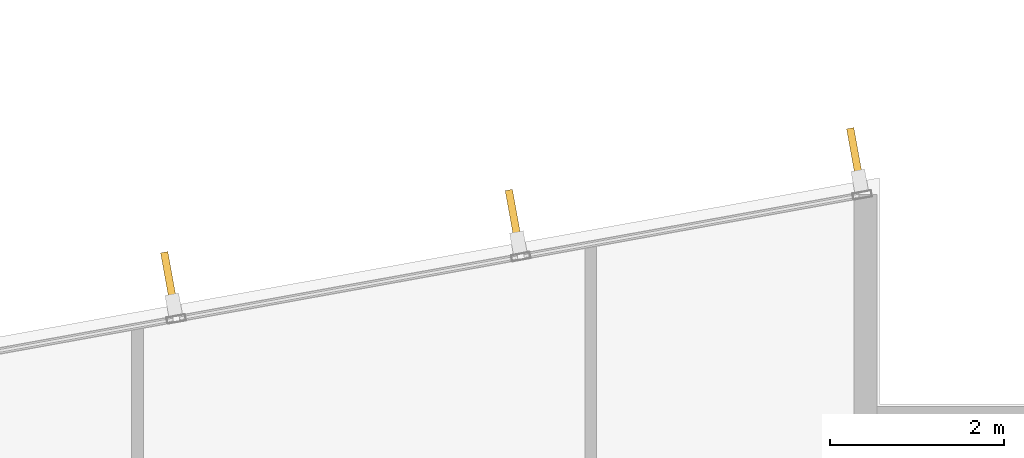
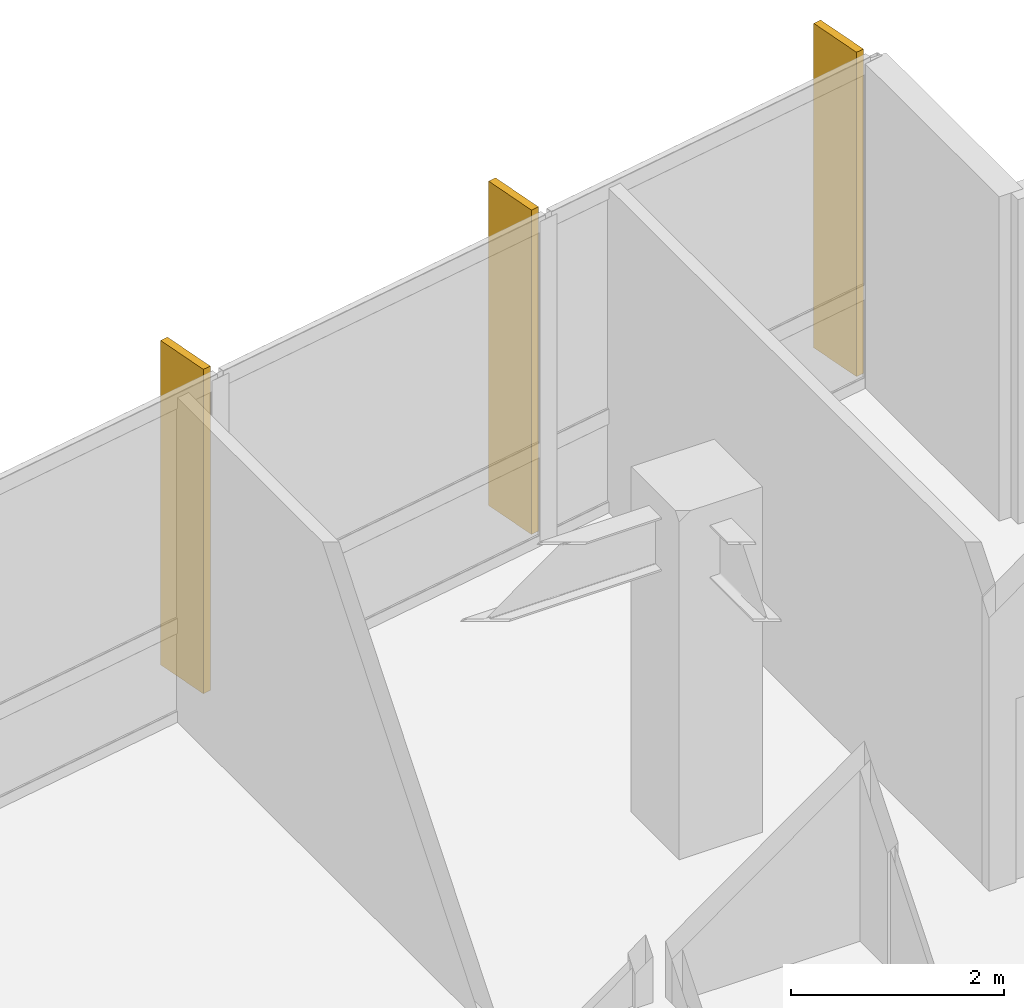
# One storey, part 22 of 22: 3 shading devices.
"""IFC4 building model written with IfcOpenShell, lengths in metres."""

from ifc_helpers import new_model, si_unit, direction, frame, origin, origin_2d, place, context, subcontext, project, spatial, rectangle, extrude, material, layer, layer_set, type_object, element, save


model = new_model("IFC4")

# Units and contexts
model_context = context("Model", 3, precision=1e-05, world=origin(), true_north=direction((0.0, 1.0)))
body_context = subcontext(model_context, "Body", "Model", "MODEL_VIEW")
ifc_project = project(units=[si_unit("LENGTHUNIT", "METRE"), si_unit("AREAUNIT", "SQUARE_METRE"), si_unit("VOLUMEUNIT", "CUBIC_METRE"), si_unit("PLANEANGLEUNIT", "RADIAN"), si_unit("MASSUNIT", "GRAM", prefix="KILO")], contexts=[model_context])

# Site, building, storey
site_placement = place(None, origin())
site = spatial("IfcSite", under=ifc_project, at=site_placement, CompositionType="ELEMENT")
building_placement = place(site_placement, origin())
building = spatial("IfcBuilding", under=site, at=building_placement, Name="Varnakote Quay Hospital", CompositionType="ELEMENT")
storey_placement = place(building_placement, frame((0.0, 0.0, 65.949951171875)))
storey = spatial("IfcBuildingStorey", under=building, at=storey_placement, Name="L16", CompositionType="ELEMENT", Elevation=65.949951171875)

# Shading devices
ifc_material = material(Name="Anodised aluminium 6063-T6 Bronze", Category="aluminium")
ifc_layer = layer(ifc_material, 0.0849609375)
ifc_layer_set = layer_set([ifc_layer], Name="Anodised aluminium 6063-T6 Bronze")
shading_device_type = type_object("IfcShadingDeviceType", Name="SHD-BRONZE-FIN-620", PredefinedType="USERDEFINED", material=ifc_layer_set)
for number, where, z_axis, x_axis, name in (
    (1, (55.319580078125, 34.664306640625, 0.0), (0.0, 0.0, 1.0), (0.177771795263, -0.984071739666, 0.0), "L16 Anodised Bronze Vertical Shading FIN"),
    (2, (51.393798828125, 33.954833984375, 0.0), (0.0, 0.0, 1.0), (0.177771795263, -0.984071739666, 0.0), "L16 Anodised Bronze Vertical Shading FIN"),
    (3, (47.43115234375, 33.23876953125, 0.0), (0.0, 0.0, 1.0), (0.177771795263, -0.984071739666, 0.0), "L16 Anodised Bronze Vertical Shading FIN"),
):
    element("IfcShadingDevice", number, at=place(storey_placement, frame(where, z_axis=z_axis, x_axis=x_axis)), inside=storey, type_object=shading_device_type, Name=name, ObjectType="FIN", PredefinedType="USERDEFINED", context=body_context, shape_type="SweptSolid", body=[
        extrude(rectangle(XDim=0.6201171875, YDim=0.0849609375, at=origin_2d()), origin(), (0.0, 0.0, 1.0), 3.7099609375),
    ])

save(model, "model.ifc")
